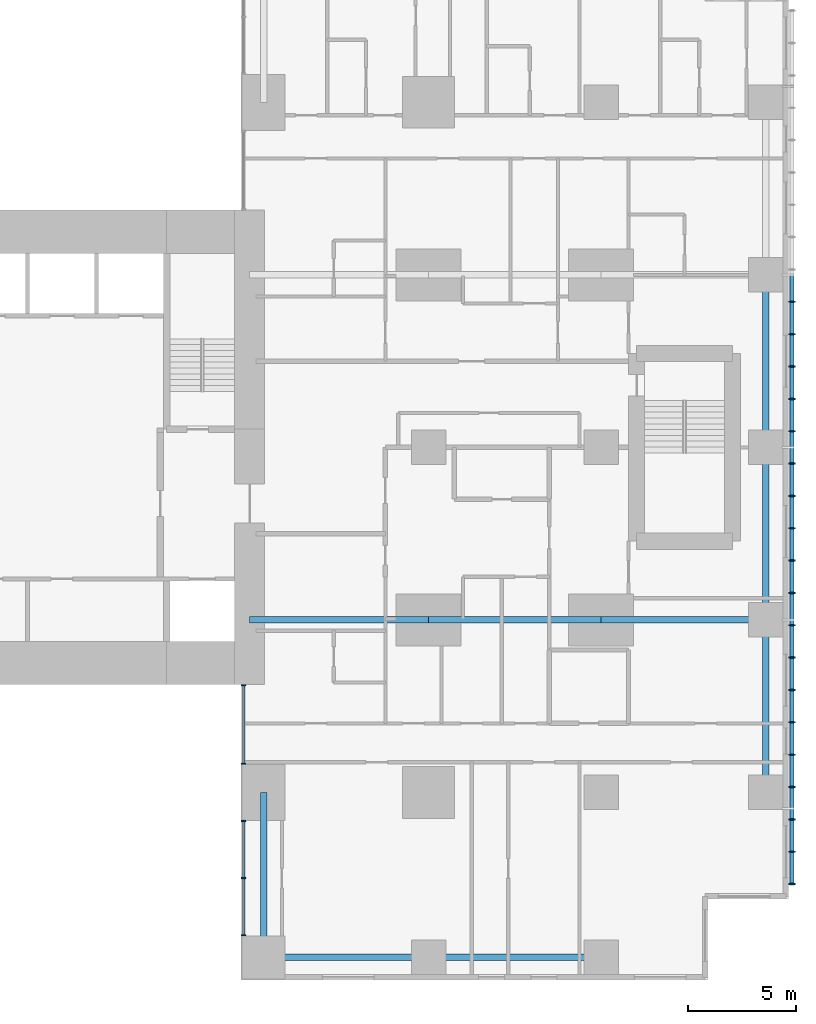
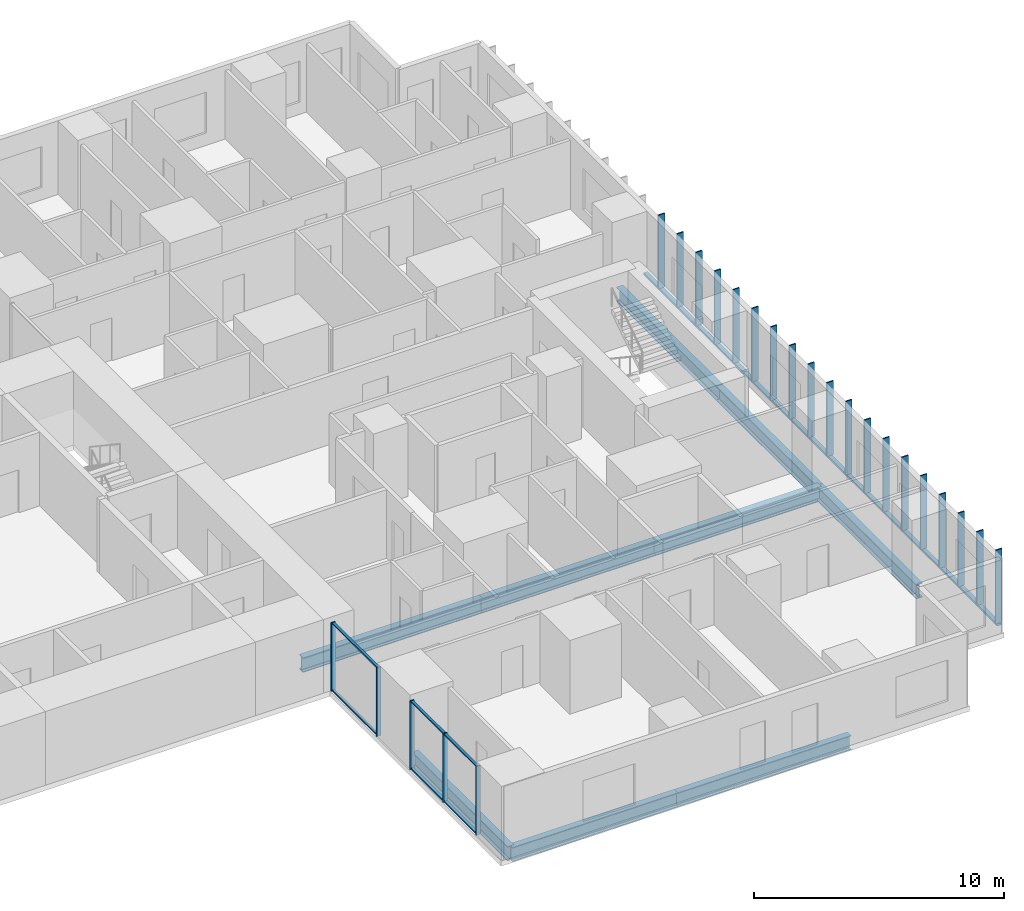
# One storey, part 2 of 12: 33 members, 9 beams, 2 elements without a shape of their own.
"""IFC4 building model written with IfcOpenShell, lengths in metres."""

from ifc_helpers import new_model, si_unit, direction, frame, origin, origin_2d, place, context, subcontext, project, spatial, rectangle, hollow_rectangle, i_section, extrude, material, layer, layer_set, material_profile, profile_set, type_object, element, aggregate, save


model = new_model("IFC4")

# Units and contexts
model_context = context("Model", 3, precision=1e-05, world=origin(), true_north=direction((0.0, 1.0)))
body_context = subcontext(model_context, "Body", "Model", "MODEL_VIEW")
ifc_project = project(units=[si_unit("LENGTHUNIT", "METRE"), si_unit("AREAUNIT", "SQUARE_METRE"), si_unit("VOLUMEUNIT", "CUBIC_METRE"), si_unit("PLANEANGLEUNIT", "RADIAN"), si_unit("MASSUNIT", "GRAM", prefix="KILO")], contexts=[model_context])

# Site, building, storey
site_placement = place(None, origin())
site = spatial("IfcSite", under=ifc_project, at=site_placement, CompositionType="ELEMENT")
building_placement = place(site_placement, origin())
building = spatial("IfcBuilding", under=site, at=building_placement, Name="Cleftline Residences", CompositionType="ELEMENT")
storey_placement = place(building_placement, frame((0.0, 0.0, 252.0)))
storey = spatial("IfcBuildingStorey", under=building, at=storey_placement, Name="L66", CompositionType="ELEMENT", Elevation=252.0)

# Members
ifc_material_1 = material(Name="Steel S355, hot-dip galvanised", Category="steel")
ifc_material_profile_1 = material_profile(ifc_material_1, hollow_rectangle(XDim=0.10009765625, YDim=0.199951171875, WallThickness=0.008056640625, InnerFilletRadius=0.008056640625, OuterFilletRadius=0.011962890625, at=origin_2d()))
ifc_profile_set_1 = profile_set([ifc_material_profile_1], Name="Steel S355, hot-dip galvanised")
member_type_1 = type_object("IfcMemberType", Name="BAGUETTE CARRIER RHS 200X100X8", PredefinedType="USERDEFINED", material=ifc_profile_set_1)
member_1_placement = place(storey_placement, frame((66.85009765625, 3.699951171875, -0.050048828125), z_axis=(0.0, 1.0, 0.0), x_axis=(0.0, 0.0, 1.0)))
element("IfcMember", 1, at=member_1_placement, inside=storey, type_object=member_type_1, Name="Baguette carrier", ObjectType="BAGUETTE CARRIER", PredefinedType="USERDEFINED", context=body_context, shape_type="SweptSolid", body=[
    extrude(hollow_rectangle(XDim=0.10009765625, YDim=0.199951171875, WallThickness=0.008056640625, InnerFilletRadius=0.008056640625, OuterFilletRadius=0.011962890625, at=origin_2d()), origin(), (0.0, 0.0, 1.0), 12.300048828125),
])
for number, where, z_axis, x_axis, name in (
    (2, (66.85009765625, 16.0, -0.050048828125), (0.0, 1.0, 0.0), (0.0, 0.0, 1.0), "Baguette carrier"),
    (3, (66.85009765625, 24.0, -0.050048828125), (0.0, 1.0, 0.0), (0.0, 0.0, 1.0), "Baguette carrier"),
):
    element("IfcMember", number, at=place(storey_placement, frame(where, z_axis=z_axis, x_axis=x_axis)), inside=storey, type_object=member_type_1, Name=name, ObjectType="BAGUETTE CARRIER", PredefinedType="USERDEFINED", context=body_context, shape_type="SweptSolid", body=[
        extrude(hollow_rectangle(XDim=0.10009765625, YDim=0.199951171875, WallThickness=0.008056640625, InnerFilletRadius=0.008056640625, OuterFilletRadius=0.011962890625, at=origin_2d()), origin(), (0.0, 0.0, 1.0), 8.0),
    ])

# Beams
ifc_material_2 = material(Name="Steel S355", Category="steel")
ifc_material_profile_2 = material_profile(ifc_material_2, i_section(OverallWidth=0.300048828125, OverallDepth=0.699951171875, WebThickness=0.01708984375, FlangeThickness=0.031982421875, FilletRadius=0.027099609375, at=origin_2d()))
ifc_profile_set_2 = profile_set([ifc_material_profile_2], Name="Steel S355")
beam_type_1 = type_object("IfcBeamType", Name="BEAM HEB 700", PredefinedType="BEAM", material=ifc_profile_set_2)
for number, where, z_axis, x_axis, name in (
    (4, (65.64990234375, 8.0, -0.60009765625), (0.0, 1.0, 0.0), (-1.0, 0.0, 0.0), "Edge beam"),
    (5, (65.64990234375, 16.0, -0.60009765625), (0.0, 1.0, 0.0), (-1.0, 0.0, 0.0), "Edge beam"),
    (6, (65.64990234375, 24.0, -0.60009765625), (0.0, 1.0, 0.0), (-1.0, 0.0, 0.0), "Edge beam"),
    (7, (58.0, 0.35009765625, -0.60009765625), (-1.0, 0.0, 0.0), (0.0, -1.0, 0.0), "Edge beam"),
):
    element("IfcBeam", number, at=place(storey_placement, frame(where, z_axis=z_axis, x_axis=x_axis)), inside=storey, type_object=beam_type_1, Name=name, PredefinedType="BEAM", context=body_context, shape_type="SweptSolid", body=[
        extrude(i_section(OverallWidth=0.300048828125, OverallDepth=0.699951171875, WebThickness=0.01708984375, FlangeThickness=0.031982421875, FilletRadius=0.027099609375, at=origin_2d()), origin(), (0.0, 0.0, 1.0), 8.0),
    ])
for number, where, z_axis, x_axis, name in (
    (8, (50.0, 0.35009765625, -0.60009765625), (-1.0, 0.0, 0.0), (0.0, -1.0, 0.0), "Edge beam"),
    (9, (42.35009765625, 0.35009765625, -0.60009765625), (0.0, 1.0, 0.0), (-1.0, 0.0, 0.0), "Edge beam"),
):
    element("IfcBeam", number, at=place(storey_placement, frame(where, z_axis=z_axis, x_axis=x_axis)), inside=storey, type_object=beam_type_1, Name=name, PredefinedType="BEAM", context=body_context, shape_type="SweptSolid", body=[
        extrude(i_section(OverallWidth=0.300048828125, OverallDepth=0.699951171875, WebThickness=0.01708984375, FlangeThickness=0.031982421875, FilletRadius=0.027099609375, at=origin_2d()), origin(), (0.0, 0.0, 1.0), 7.64990234375),
    ])
ifc_material_3 = material(Name="Steel S355", Category="steel")
ifc_material_profile_3 = material_profile(ifc_material_3, i_section(OverallWidth=0.303955078125, OverallDepth=0.716064453125, WebThickness=0.02099609375, FlangeThickness=0.0400390625, FilletRadius=0.027099609375, at=origin_2d()))
ifc_profile_set_3 = profile_set([ifc_material_profile_3], Name="Steel S355")
beam_type_2 = type_object("IfcBeamType", Name="BEAM HEM 700", PredefinedType="BEAM", material=ifc_profile_set_3)
beam_1_placement = place(storey_placement, frame((65.64990234375, 16.0, -0.60791015625), z_axis=(-1.0, 0.0, 0.0), x_axis=(0.0, -1.0, 0.0)))
element("IfcBeam", 10, at=beam_1_placement, inside=storey, type_object=beam_type_2, Name="Band beam", PredefinedType="BEAM", context=body_context, shape_type="SweptSolid", body=[
    extrude(i_section(OverallWidth=0.303955078125, OverallDepth=0.716064453125, WebThickness=0.02099609375, FlangeThickness=0.0400390625, FilletRadius=0.027099609375, at=origin_2d()), origin(), (0.0, 0.0, 1.0), 7.64990234375),
])
beam_2_placement = place(storey_placement, frame((58.0, 16.0, -0.60791015625), z_axis=(-1.0, 0.0, 0.0), x_axis=(0.0, -1.0, 0.0)))
element("IfcBeam", 11, at=beam_2_placement, inside=storey, type_object=beam_type_2, Name="Band beam", PredefinedType="BEAM", context=body_context, shape_type="SweptSolid", body=[
    extrude(i_section(OverallWidth=0.303955078125, OverallDepth=0.716064453125, WebThickness=0.02099609375, FlangeThickness=0.0400390625, FilletRadius=0.027099609375, at=origin_2d()), origin(), (0.0, 0.0, 1.0), 8.0),
])
beam_3_placement = place(storey_placement, frame((50.0, 16.0, -0.60791015625), z_axis=(-1.0, 0.0, 0.0), x_axis=(0.0, -1.0, 0.0)))
element("IfcBeam", 12, at=beam_3_placement, inside=storey, type_object=beam_type_2, Name="Band beam", PredefinedType="BEAM", context=body_context, shape_type="SweptSolid", body=[
    extrude(i_section(OverallWidth=0.303955078125, OverallDepth=0.716064453125, WebThickness=0.02099609375, FlangeThickness=0.0400390625, FilletRadius=0.027099609375, at=origin_2d()), origin(), (0.0, 0.0, 1.0), 8.300048828125),
])

# Curtain wall, members
ifc_material_4 = material(Name="Aluminium framed curtain wall", Category="aluminium")
ifc_layer = layer(ifc_material_4, 0.199951171875)
ifc_layer_set = layer_set([ifc_layer], Name="CW1 CLEFT GLAZING")
curtain_wall_type = type_object("IfcCurtainWallType", Name="CW1 CLEFT GLAZING", PredefinedType="NOTDEFINED", material=ifc_layer_set)
curtain_wall_1_placement = place(storey_placement, origin())
curtain_wall_1 = element("IfcCurtainWall", 13, at=curtain_wall_1_placement, inside=storey, type_object=curtain_wall_type, Name="Curtain wall CW1", PredefinedType="NOTDEFINED")
ifc_material_5 = material(Name="Aluminium mullion", Category="aluminium")
ifc_material_profile_4 = material_profile(ifc_material_5, rectangle(XDim=0.199951171875, YDim=0.06005859375, at=origin_2d()))
ifc_profile_set_4 = profile_set([ifc_material_profile_4], Name="Aluminium mullion")
member_type_2 = type_object("IfcMemberType", Name="CW1 MULLION", PredefinedType="MULLION", material=ifc_profile_set_4)
member_2_placement = place(storey_placement, frame((41.425048828125, 12.969970703125, 0.0), z_axis=(0.0, 0.0, 1.0), x_axis=(1.0, 0.0, 0.0)))
member_2 = element("IfcMember", 14, at=member_2_placement, type_object=member_type_2, Name="CW1 mullion 1", PredefinedType="MULLION", context=body_context, shape_type="SweptSolid", body=[
    extrude(rectangle(XDim=0.199951171875, YDim=0.06005859375, at=origin_2d()), origin(), (0.0, 0.0, 1.0), 3.35009765625),
])
member_3_placement = place(storey_placement, frame((41.425048828125, 9.330078125, 0.0), z_axis=(0.0, 0.0, 1.0), x_axis=(1.0, 0.0, 0.0)))
member_3 = element("IfcMember", 15, at=member_3_placement, type_object=member_type_2, Name="CW1 mullion 2", PredefinedType="MULLION", context=body_context, shape_type="SweptSolid", body=[
    extrude(rectangle(XDim=0.199951171875, YDim=0.06005859375, at=origin_2d()), origin(), (0.0, 0.0, 1.0), 3.35009765625),
])

curtain_wall_2_placement = place(storey_placement, origin())
curtain_wall_2 = element("IfcCurtainWall", 16, at=curtain_wall_2_placement, inside=storey, type_object=curtain_wall_type, Name="Curtain wall CW1", PredefinedType="NOTDEFINED")
member_4_placement = place(storey_placement, frame((41.425048828125, 6.669921875, 0.0), z_axis=(0.0, 0.0, 1.0), x_axis=(1.0, 0.0, 0.0)))
member_4 = element("IfcMember", 17, at=member_4_placement, type_object=member_type_2, Name="CW1 mullion 1", PredefinedType="MULLION", context=body_context, shape_type="SweptSolid", body=[
    extrude(rectangle(XDim=0.199951171875, YDim=0.06005859375, at=origin_2d()), origin(), (0.0, 0.0, 1.0), 3.35009765625),
])
member_5_placement = place(storey_placement, frame((41.425048828125, 4.02490234375, 0.0), z_axis=(0.0, 0.0, 1.0), x_axis=(1.0, 0.0, 0.0)))
member_5 = element("IfcMember", 18, at=member_5_placement, type_object=member_type_2, Name="CW1 mullion 2", PredefinedType="MULLION", context=body_context, shape_type="SweptSolid", body=[
    extrude(rectangle(XDim=0.199951171875, YDim=0.06005859375, at=origin_2d()), origin(), (0.0, 0.0, 1.0), 3.35009765625),
])
member_6_placement = place(storey_placement, frame((41.425048828125, 1.3798828125, 0.0), z_axis=(0.0, 0.0, 1.0), x_axis=(1.0, 0.0, 0.0)))
member_6 = element("IfcMember", 19, at=member_6_placement, type_object=member_type_2, Name="CW1 mullion 3", PredefinedType="MULLION", context=body_context, shape_type="SweptSolid", body=[
    extrude(rectangle(XDim=0.199951171875, YDim=0.06005859375, at=origin_2d()), origin(), (0.0, 0.0, 1.0), 3.35009765625),
])

# Member
ifc_material_6 = material(Name="Aluminium transom", Category="aluminium")
ifc_material_profile_5 = material_profile(ifc_material_6, rectangle(XDim=0.1201171875, YDim=0.06005859375, at=origin_2d()))
ifc_profile_set_5 = profile_set([ifc_material_profile_5], Name="Aluminium transom")
member_type_3 = type_object("IfcMemberType", Name="CW1 TRANSOM", PredefinedType="USERDEFINED", material=ifc_profile_set_5)
member_7_placement = place(storey_placement, frame((41.425048828125, 12.93994140625, 0.030029296875), z_axis=(0.0, -1.0, 0.0), x_axis=(1.0, 0.0, 0.0)))
member_7 = element("IfcMember", 20, at=member_7_placement, type_object=member_type_3, Name="CW1 transom 1.1", ObjectType="TRANSOM", PredefinedType="USERDEFINED", context=body_context, shape_type="SweptSolid", body=[
    extrude(rectangle(XDim=0.1201171875, YDim=0.06005859375, at=origin_2d()), origin(), (0.0, 0.0, 1.0), 3.579833984375),
])

member_8_placement = place(storey_placement, frame((41.425048828125, 12.93994140625, 3.320068359375), z_axis=(0.0, -1.0, 0.0), x_axis=(1.0, 0.0, 0.0)))
member_8 = element("IfcMember", 21, at=member_8_placement, type_object=member_type_3, Name="CW1 transom 1.2", ObjectType="TRANSOM", PredefinedType="USERDEFINED", context=body_context, shape_type="SweptSolid", body=[
    extrude(rectangle(XDim=0.1201171875, YDim=0.06005859375, at=origin_2d()), origin(), (0.0, 0.0, 1.0), 3.579833984375),
])

aggregate(curtain_wall_1, [member_2, member_3, member_7, member_8])

member_9_placement = place(storey_placement, frame((41.425048828125, 6.639892578125, 0.030029296875), z_axis=(0.0, -1.0, 0.0), x_axis=(1.0, 0.0, 0.0)))
member_9 = element("IfcMember", 22, at=member_9_placement, type_object=member_type_3, Name="CW1 transom 1.1", ObjectType="TRANSOM", PredefinedType="USERDEFINED", context=body_context, shape_type="SweptSolid", body=[
    extrude(rectangle(XDim=0.1201171875, YDim=0.06005859375, at=origin_2d()), origin(), (0.0, 0.0, 1.0), 2.5849609375),
])

member_10_placement = place(storey_placement, frame((41.425048828125, 6.639892578125, 3.320068359375), z_axis=(0.0, -1.0, 0.0), x_axis=(1.0, 0.0, 0.0)))
member_10 = element("IfcMember", 23, at=member_10_placement, type_object=member_type_3, Name="CW1 transom 1.2", ObjectType="TRANSOM", PredefinedType="USERDEFINED", context=body_context, shape_type="SweptSolid", body=[
    extrude(rectangle(XDim=0.1201171875, YDim=0.06005859375, at=origin_2d()), origin(), (0.0, 0.0, 1.0), 2.5849609375),
])

member_11_placement = place(storey_placement, frame((41.425048828125, 3.9951171875, 0.030029296875), z_axis=(0.0, -1.0, 0.0), x_axis=(1.0, 0.0, 0.0)))
member_11 = element("IfcMember", 24, at=member_11_placement, type_object=member_type_3, Name="CW1 transom 2.1", ObjectType="TRANSOM", PredefinedType="USERDEFINED", context=body_context, shape_type="SweptSolid", body=[
    extrude(rectangle(XDim=0.1201171875, YDim=0.06005859375, at=origin_2d()), origin(), (0.0, 0.0, 1.0), 2.585205078125),
])

member_12_placement = place(storey_placement, frame((41.425048828125, 3.9951171875, 3.320068359375), z_axis=(0.0, -1.0, 0.0), x_axis=(1.0, 0.0, 0.0)))
member_12 = element("IfcMember", 25, at=member_12_placement, type_object=member_type_3, Name="CW1 transom 2.2", ObjectType="TRANSOM", PredefinedType="USERDEFINED", context=body_context, shape_type="SweptSolid", body=[
    extrude(rectangle(XDim=0.1201171875, YDim=0.06005859375, at=origin_2d()), origin(), (0.0, 0.0, 1.0), 2.585205078125),
])

aggregate(curtain_wall_2, [member_4, member_5, member_6, member_9, member_10, member_11, member_12])

# Members
ifc_material_7 = material(Name="Extruded terracotta", Category="masonry")
ifc_material_profile_6 = material_profile(ifc_material_7, rectangle(XDim=0.06005859375, YDim=0.300048828125, at=origin_2d()))
ifc_profile_set_6 = profile_set([ifc_material_profile_6], Name="Extruded terracotta")
member_type_4 = type_object("IfcMemberType", Name="TERRACOTTA BAGUETTE 60X300", PredefinedType="USERDEFINED", material=ifc_profile_set_6)
for number, where, z_axis, x_axis, name in (
    (26, (66.85009765625, 3.75, 0.0), (0.0, 0.0, 1.0), (0.0, 1.0, 0.0), "Terracotta baguette"),
    (27, (66.85009765625, 5.25, 0.0), (0.0, 0.0, 1.0), (0.0, 1.0, 0.0), "Terracotta baguette"),
    (28, (66.85009765625, 6.75, 0.0), (0.0, 0.0, 1.0), (0.0, 1.0, 0.0), "Terracotta baguette"),
    (29, (66.85009765625, 8.25, 0.0), (0.0, 0.0, 1.0), (0.0, 1.0, 0.0), "Terracotta baguette"),
    (30, (66.85009765625, 9.75, 0.0), (0.0, 0.0, 1.0), (0.0, 1.0, 0.0), "Terracotta baguette"),
    (31, (66.85009765625, 11.25, 0.0), (0.0, 0.0, 1.0), (0.0, 1.0, 0.0), "Terracotta baguette"),
    (32, (66.85009765625, 12.75, 0.0), (0.0, 0.0, 1.0), (0.0, 1.0, 0.0), "Terracotta baguette"),
    (33, (66.85009765625, 14.25, 0.0), (0.0, 0.0, 1.0), (0.0, 1.0, 0.0), "Terracotta baguette"),
    (34, (66.85009765625, 15.75, 0.0), (0.0, 0.0, 1.0), (0.0, 1.0, 0.0), "Terracotta baguette"),
    (35, (66.85009765625, 17.25, 0.0), (0.0, 0.0, 1.0), (0.0, 1.0, 0.0), "Terracotta baguette"),
    (36, (66.85009765625, 18.75, 0.0), (0.0, 0.0, 1.0), (0.0, 1.0, 0.0), "Terracotta baguette"),
    (37, (66.85009765625, 20.25, 0.0), (0.0, 0.0, 1.0), (0.0, 1.0, 0.0), "Terracotta baguette"),
    (38, (66.85009765625, 21.75, 0.0), (0.0, 0.0, 1.0), (0.0, 1.0, 0.0), "Terracotta baguette"),
    (39, (66.85009765625, 23.25, 0.0), (0.0, 0.0, 1.0), (0.0, 1.0, 0.0), "Terracotta baguette"),
    (40, (66.85009765625, 24.75, 0.0), (0.0, 0.0, 1.0), (0.0, 1.0, 0.0), "Terracotta baguette"),
    (41, (66.85009765625, 26.25, 0.0), (0.0, 0.0, 1.0), (0.0, 1.0, 0.0), "Terracotta baguette"),
    (42, (66.85009765625, 27.75, 0.0), (0.0, 0.0, 1.0), (0.0, 1.0, 0.0), "Terracotta baguette"),
    (43, (66.85009765625, 29.25, 0.0), (0.0, 0.0, 1.0), (0.0, 1.0, 0.0), "Terracotta baguette"),
    (44, (66.85009765625, 30.75, 0.0), (0.0, 0.0, 1.0), (0.0, 1.0, 0.0), "Terracotta baguette"),
):
    element("IfcMember", number, at=place(storey_placement, frame(where, z_axis=z_axis, x_axis=x_axis)), inside=storey, type_object=member_type_4, Name=name, ObjectType="BAGUETTE", PredefinedType="USERDEFINED", context=body_context, shape_type="SweptSolid", body=[
        extrude(rectangle(XDim=0.06005859375, YDim=0.300048828125, at=origin_2d()), origin(), (0.0, 0.0, 1.0), 3.60009765625),
    ])

save(model, "model.ifc")
